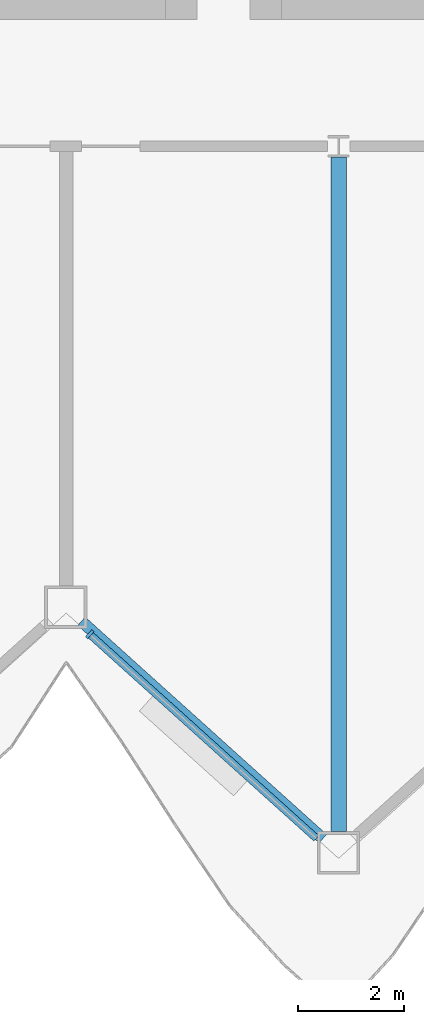
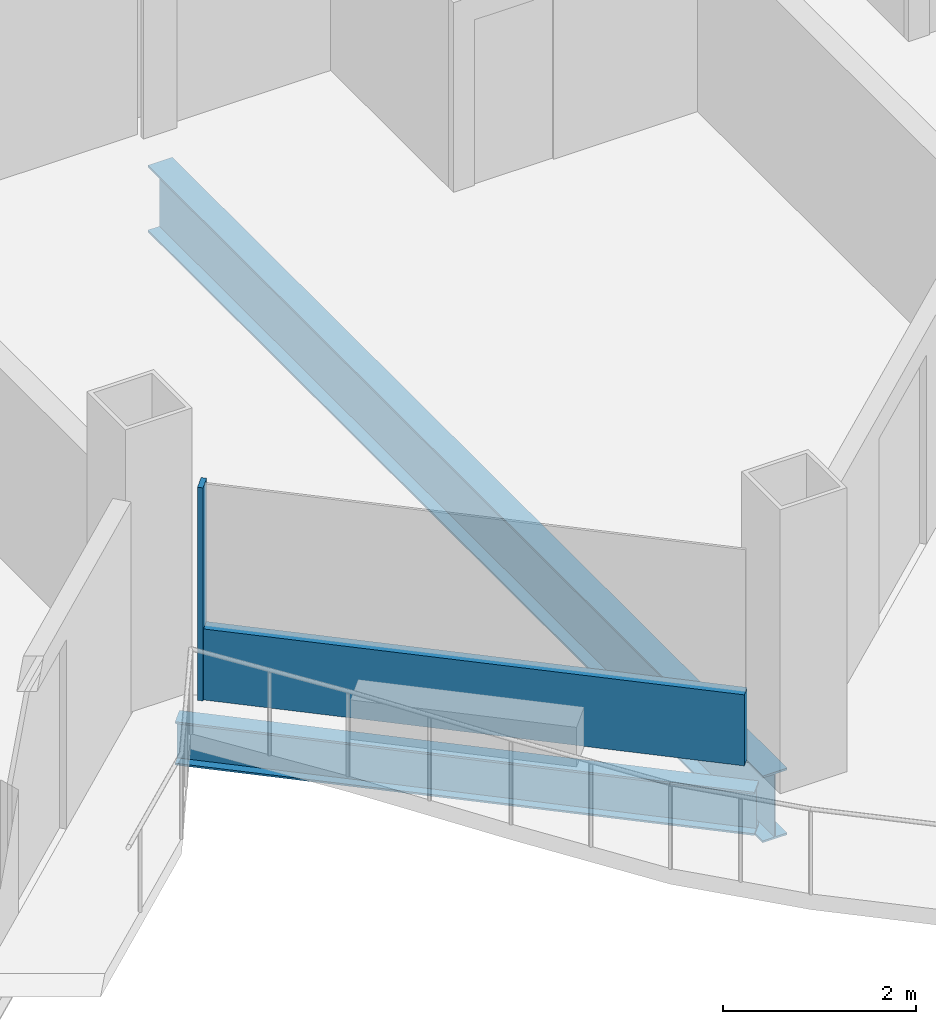
# One storey, part 4 of 23: 2 beams, 2 members, 1 element without a shape of its own.
"""IFC4 building model written with IfcOpenShell, lengths in metres."""

from ifc_helpers import new_model, si_unit, direction, frame, origin, origin_2d, place, context, subcontext, project, spatial, rectangle, i_section, extrude, material, layer, layer_set, material_profile, profile_set, type_object, element, aggregate, save


model = new_model("IFC4")

# Units and contexts
model_context = context("Model", 3, precision=1e-05, world=origin(), true_north=direction((0.0, 1.0)))
body_context = subcontext(model_context, "Body", "Model", "MODEL_VIEW")
ifc_project = project(units=[si_unit("LENGTHUNIT", "METRE"), si_unit("AREAUNIT", "SQUARE_METRE"), si_unit("VOLUMEUNIT", "CUBIC_METRE"), si_unit("PLANEANGLEUNIT", "RADIAN"), si_unit("MASSUNIT", "GRAM", prefix="KILO")], contexts=[model_context])

# Site, building, storey
site_placement = place(None, origin())
site = spatial("IfcSite", under=ifc_project, at=site_placement, CompositionType="ELEMENT")
building_placement = place(site_placement, origin())
building = spatial("IfcBuilding", under=site, at=building_placement, Name="Cormorant Prow Tower", CompositionType="ELEMENT")
storey_placement = place(building_placement, frame((0.0, 0.0, 208.800048828125)))
storey = spatial("IfcBuildingStorey", under=building, at=storey_placement, Name="L46", CompositionType="ELEMENT", Elevation=208.800048828125)

# Curtain wall, members
ifc_material_1 = material(Name="Aluminium 6063-T6", Category="aluminium")
ifc_layer = layer(ifc_material_1, 0.179931640625)
ifc_layer_set = layer_set([ifc_layer], Name="Aluminium 6063-T6")
curtain_wall_type = type_object("IfcCurtainWallType", Name="Hotel unitised curtain wall 180", PredefinedType="NOTDEFINED", material=ifc_layer_set)
curtain_wall_placement = place(storey_placement, origin())
curtain_wall = element("IfcCurtainWall", 1, at=curtain_wall_placement, inside=storey, type_object=curtain_wall_type, Name="Hotel curtain wall S04", PredefinedType="NOTDEFINED")
ifc_material_2 = material(Name="Aluminium 6063-T6", Category="aluminium")
ifc_material_profile_1 = material_profile(ifc_material_2, rectangle(XDim=0.179931640625, YDim=0.06005859375, at=origin_2d()), Name="Hotel mullion 60x180")
ifc_profile_set_1 = profile_set([ifc_material_profile_1], Name="Aluminium 6063-T6")
member_type_1 = type_object("IfcMemberType", Name="Hotel mullion 60x180", PredefinedType="MULLION", material=ifc_profile_set_1)
member_1_placement = place(storey_placement, frame((-4.711181640625, -20.5849609375, 0.0), z_axis=(0.0, 0.0, 1.0), x_axis=(0.669130629874, 0.743144804304, 0.0)))
member_1 = element("IfcMember", 2, at=member_1_placement, type_object=member_type_1, Name="Hotel mullion S04", PredefinedType="MULLION", context=body_context, shape_type="SweptSolid", body=[
    extrude(rectangle(XDim=0.179931640625, YDim=0.06005859375, at=origin_2d()), origin(), (0.0, 0.0, 1.0), 2.700927734375),
])
ifc_material_3 = material(Name="Terracotta", Category="masonry")
ifc_material_profile_2 = material_profile(ifc_material_3, rectangle(XDim=0.139892578125, YDim=0.89990234375, at=origin_2d()), Name="Hotel terracotta spandrel rail 140x900")
ifc_profile_set_2 = profile_set([ifc_material_profile_2], Name="Terracotta")
member_type_2 = type_object("IfcMemberType", Name="Hotel terracotta spandrel rail 140x900", PredefinedType="USERDEFINED", material=ifc_profile_set_2)
member_2_placement = place(storey_placement, frame((-4.68896484375, -20.605224609375, 0.449951171875), z_axis=(0.743152468753, -0.669122117543, 0.0), x_axis=(0.669122117543, 0.743152468753, 0.0)))
member_2 = element("IfcMember", 3, at=member_2_placement, type_object=member_type_2, Name="Hotel spandrel rail S04", ObjectType="TRANSOM", PredefinedType="USERDEFINED", context=body_context, shape_type="SweptSolid", body=[
    extrude(rectangle(XDim=0.139892578125, YDim=0.89990234375, at=origin_2d()), origin(), (0.0, 0.0, 1.0), 5.741455078125),
])
aggregate(curtain_wall, [member_1, member_2])

# Beams
ifc_material_4 = material(Name="Structural steel ASTM A992 Gr 50", Category="steel")
ifc_material_profile_3 = material_profile(ifc_material_4, i_section(OverallWidth=0.29296875, OverallDepth=0.845703125, WebThickness=0.015380859375, FlangeThickness=0.0244140625, at=origin_2d()), Name="W33x141")
ifc_profile_set_3 = profile_set([ifc_material_profile_3], Name="Structural steel ASTM A992 Gr 50")
beam_type_1 = type_object("IfcBeamType", Name="Radial floor beam W33x141", PredefinedType="BEAM", material=ifc_profile_set_3)
beam_1_placement = place(storey_placement, frame((0.0, -11.552734375, -0.77294921875), z_axis=(0.0, -1.0, 0.0), x_axis=(1.0, 0.0, 0.0)))
element("IfcBeam", 4, at=beam_1_placement, inside=storey, type_object=beam_type_1, Name="Radial floor beam FB2 7 L46", PredefinedType="BEAM", context=body_context, shape_type="SweptSolid", body=[
    extrude(i_section(OverallWidth=0.29296875, OverallDepth=0.845703125, WebThickness=0.015380859375, FlangeThickness=0.0244140625, at=origin_2d()), origin(), (0.0, 0.0, 1.0), 12.768798828125),
])
ifc_material_5 = material(Name="Structural steel ASTM A992 Gr 50", Category="steel")
ifc_material_profile_4 = material_profile(ifc_material_5, i_section(OverallWidth=0.2138671875, OverallDepth=0.549072265625, WebThickness=0.0146484375, FlangeThickness=0.023681640625, at=origin_2d()), Name="W21x93")
ifc_profile_set_4 = profile_set([ifc_material_profile_4], Name="Structural steel ASTM A992 Gr 50")
beam_type_2 = type_object("IfcBeamType", Name="Spandrel beam W21x93", PredefinedType="SPANDREL", material=ifc_profile_set_4)
beam_2_placement = place(storey_placement, frame((-4.867431640625, -20.3388671875, -0.62451171875), z_axis=(0.743138178716, -0.669137988261, 0.0), x_axis=(0.669137988261, 0.743138178716, 0.0)))
element("IfcBeam", 5, at=beam_2_placement, inside=storey, type_object=beam_type_2, Name="Spandrel beam SB2 S04-S05 L46", PredefinedType="SPANDREL", context=body_context, shape_type="SweptSolid", body=[
    extrude(i_section(OverallWidth=0.2138671875, OverallDepth=0.549072265625, WebThickness=0.0146484375, FlangeThickness=0.023681640625, at=origin_2d()), origin(), (0.0, 0.0, 1.0), 6.149658203125),
])

save(model, "model.ifc")
